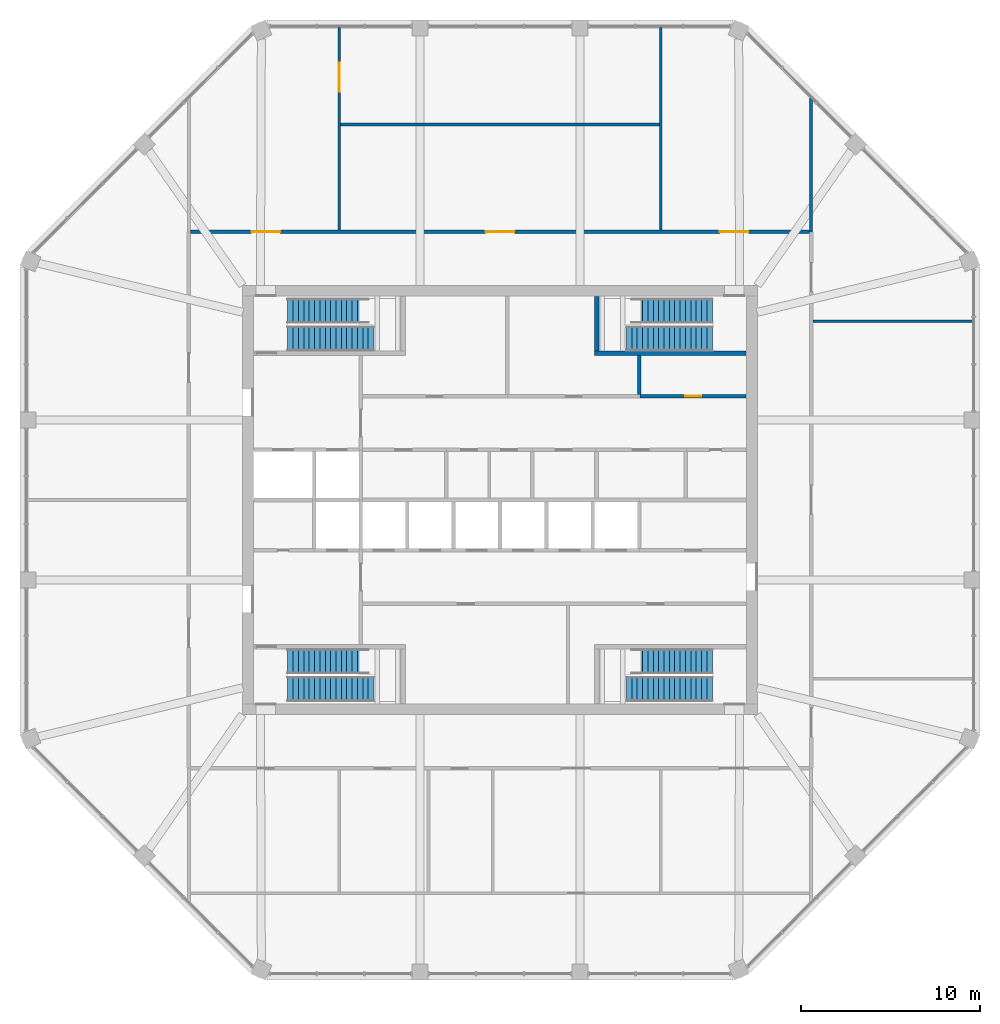
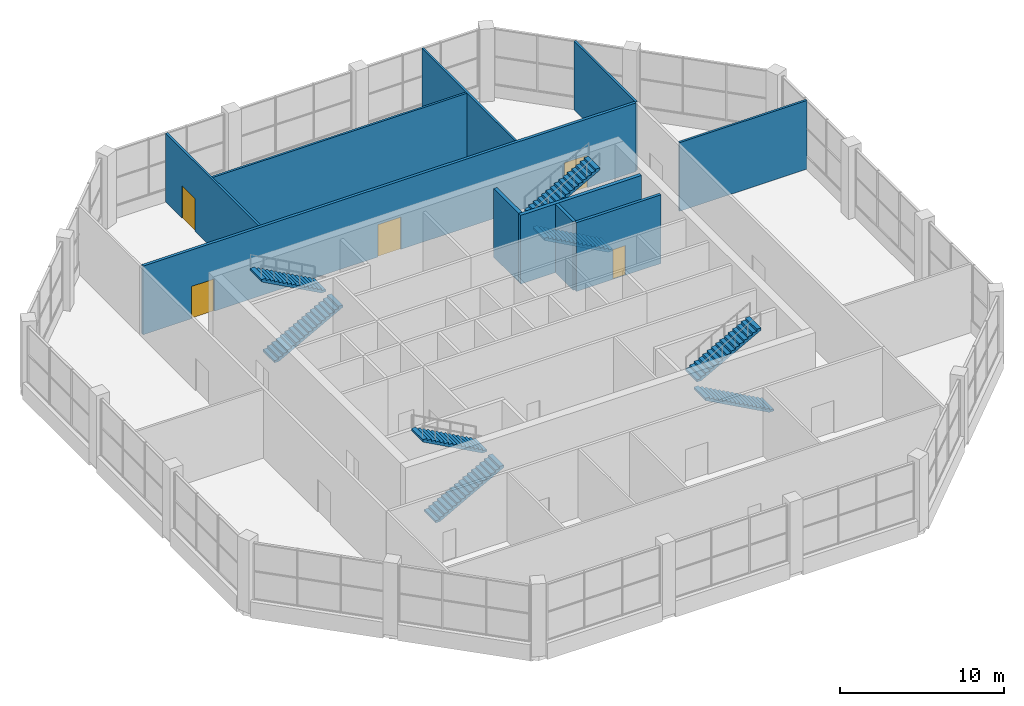
# One storey, part 14 of 15: 10 walls, 8 stair flights, 5 doors, 5 openings, 4 elements without a shape of their own.
"""IFC4 building model written with IfcOpenShell, lengths in metres."""

from ifc_helpers import new_model, si_unit, direction, frame, frame_2d, origin, place, context, subcontext, project, spatial, polyline, rectangle, outline, extrude, material, layer, layer_set, type_object, element, fill, aggregate, save


model = new_model("IFC4")

# Units and contexts
model_context = context("Model", 3, precision=1e-05, world=origin(), true_north=direction((0.0, 1.0)))
body_context = subcontext(model_context, "Body", "Model", "MODEL_VIEW")
ifc_project = project(units=[si_unit("LENGTHUNIT", "METRE"), si_unit("AREAUNIT", "SQUARE_METRE"), si_unit("VOLUMEUNIT", "CUBIC_METRE"), si_unit("PLANEANGLEUNIT", "RADIAN"), si_unit("MASSUNIT", "GRAM", prefix="KILO")], contexts=[model_context])

# Site, building, storey
site_placement = place(None, origin())
site = spatial("IfcSite", under=ifc_project, at=site_placement, CompositionType="ELEMENT")
building_placement = place(site_placement, origin())
building = spatial("IfcBuilding", under=site, at=building_placement, Name="Msitu Wima Residences", CompositionType="ELEMENT")
storey_placement = place(building_placement, frame((0.0, 0.0, 314.699951171875)))
storey = spatial("IfcBuildingStorey", under=building, at=storey_placement, Name="L73", CompositionType="ELEMENT", Elevation=314.699951171875)

# Wall, openings, doors
ifc_material_1 = material(Name="Plaster")
ifc_layer_1 = layer(ifc_material_1, 0.011962890625, Name="Plaster")
ifc_material_2 = material(Name="Concrete blockwork", Category="masonry")
ifc_layer_2 = layer(ifc_material_2, 0.176025390625, Name="Concrete blockwork")
ifc_layer_3 = layer(ifc_material_1, 0.011962890625, Name="Plaster")
ifc_layer_set_1 = layer_set([ifc_layer_1, ifc_layer_2, ifc_layer_3], Name="Concrete blockwork")
wall_type_1 = type_object("IfcWallType", Name="Corridor wall FW200", PredefinedType="PARTITIONING", material=ifc_layer_set_1)
wall_1_placement = place(storey_placement, frame((-17.300048828125, 15.0, 0.0), z_axis=(0.0, 0.0, 1.0), x_axis=(1.0, 0.0, 0.0)))
wall_1 = element("IfcWall", 1, at=wall_1_placement, inside=storey, type_object=wall_type_1, Name="Corridor wall", PredefinedType="PARTITIONING", context=body_context, shape_type="SweptSolid", body=[
    extrude(rectangle(XDim=34.625, YDim=0.199951171875, at=frame_2d((17.3125, 0.0))), origin(), (0.0, 0.0, 1.0), 5.10009765625),
])
opening_1_placement = place(wall_1_placement, frame((3.39990234375, 0.0, 0.0)))
opening_1 = element("IfcOpeningElement", 2, at=opening_1_placement, cuts=wall_1, Name="Opening D73.021", PredefinedType="OPENING", context=body_context, shape_type="SweptSolid", body=[
    extrude(rectangle(XDim=1.60009765625, YDim=2.39990234375, at=frame_2d((0.800048828125, 1.199951171875))), frame((0.0, 0.10986328125, 0.0), z_axis=(0.0, -1.0, 0.0), x_axis=(1.0, 0.0, 0.0)), (0.0, 0.0, 1.0), 0.219970703125),
])
opening_2_placement = place(wall_1_placement, frame((29.60009765625, 0.0, 0.0)))
opening_2 = element("IfcOpeningElement", 3, at=opening_2_placement, cuts=wall_1, Name="Opening D73.022", PredefinedType="OPENING", context=body_context, shape_type="SweptSolid", body=[
    extrude(rectangle(XDim=1.60009765625, YDim=2.39990234375, at=frame_2d((0.800048828125, 1.199951171875))), frame((0.0, 0.10986328125, 0.0), z_axis=(0.0, -1.0, 0.0), x_axis=(1.0, 0.0, 0.0)), (0.0, 0.0, 1.0), 0.219970703125),
])
opening_3_placement = place(wall_1_placement, frame((16.5, 0.0, 0.0)))
opening_3 = element("IfcOpeningElement", 4, at=opening_3_placement, cuts=wall_1, Name="Opening D73.023", PredefinedType="OPENING", context=body_context, shape_type="SweptSolid", body=[
    extrude(rectangle(XDim=1.60009765625, YDim=2.39990234375, at=frame_2d((0.800048828125, 1.199951171875))), frame((0.0, 0.10986328125, 0.0), z_axis=(0.0, -1.0, 0.0), x_axis=(1.0, 0.0, 0.0)), (0.0, 0.0, 1.0), 0.219970703125),
])
ifc_material_3 = material(Name="Black aluminium glazed door", Category="aluminium")
door_type_1 = type_object("IfcDoorType", Name="Amenity door D10 1600x2400", OperationType="DOUBLE_DOOR_SINGLE_SWING", PredefinedType="DOOR", material=ifc_material_3)
door_1_placement = place(opening_1_placement, origin())
door_1 = element("IfcDoor", 5, at=door_1_placement, inside=storey, type_object=door_type_1, Name="Amenity door", OperationType="DOUBLE_DOOR_SINGLE_SWING", OverallHeight=2.39990234375, OverallWidth=1.60009765625, PredefinedType="DOOR", context=body_context, shape_type="SweptSolid", body=[
    extrude(rectangle(XDim=1.60009765625, YDim=2.39990234375, at=frame_2d((0.800048828125, 1.199951171875))), frame((0.0, 0.02490234375, 0.0), z_axis=(0.0, -1.0, 0.0), x_axis=(1.0, 0.0, 0.0)), (0.0, 0.0, 1.0), 0.050048828125),
])
fill(opening_1, door_1)
door_2_placement = place(opening_2_placement, origin())
door_2 = element("IfcDoor", 6, at=door_2_placement, inside=storey, type_object=door_type_1, Name="Amenity door", OperationType="DOUBLE_DOOR_SINGLE_SWING", OverallHeight=2.39990234375, OverallWidth=1.60009765625, PredefinedType="DOOR", context=body_context, shape_type="SweptSolid", body=[
    extrude(rectangle(XDim=1.60009765625, YDim=2.39990234375, at=frame_2d((0.800048828125, 1.199951171875))), frame((0.0, 0.02490234375, 0.0), z_axis=(0.0, -1.0, 0.0), x_axis=(1.0, 0.0, 0.0)), (0.0, 0.0, 1.0), 0.050048828125),
])
fill(opening_2, door_2)
door_3_placement = place(opening_3_placement, origin())
door_3 = element("IfcDoor", 7, at=door_3_placement, inside=storey, type_object=door_type_1, Name="Amenity door", OperationType="DOUBLE_DOOR_SINGLE_SWING", OverallHeight=2.39990234375, OverallWidth=1.60009765625, PredefinedType="DOOR", context=body_context, shape_type="SweptSolid", body=[
    extrude(rectangle(XDim=1.60009765625, YDim=2.39990234375, at=frame_2d((0.800048828125, 1.199951171875))), frame((0.0, 0.02490234375, 0.0), z_axis=(0.0, -1.0, 0.0), x_axis=(1.0, 0.0, 0.0)), (0.0, 0.0, 1.0), 0.050048828125),
])
fill(opening_3, door_3)

# Wall, opening, door
wall_2_placement = place(storey_placement, frame((7.820068359375, 5.800048828125, 0.0), z_axis=(0.0, 0.0, 1.0), x_axis=(1.0, 0.0, 0.0)))
wall_2 = element("IfcWall", 8, at=wall_2_placement, inside=storey, type_object=wall_type_1, Name="Corridor wall", PredefinedType="PARTITIONING", context=body_context, shape_type="SweptSolid", body=[
    extrude(rectangle(XDim=5.949951171875, YDim=0.199951171875, at=frame_2d((2.97509765625, 0.0))), origin(), (0.0, 0.0, 1.0), 5.10009765625),
])
opening_4_placement = place(wall_2_placement, frame((2.550048828125, 0.0, 0.0)))
opening_4 = element("IfcOpeningElement", 9, at=opening_4_placement, cuts=wall_2, Name="Opening D73.006", PredefinedType="OPENING", context=body_context, shape_type="SweptSolid", body=[
    extrude(rectangle(XDim=0.89990234375, YDim=2.199951171875, at=frame_2d((0.449951171875, 1.10009765625))), frame((0.0, 0.10986328125, 0.0), z_axis=(0.0, -1.0, 0.0), x_axis=(1.0, 0.0, 0.0)), (0.0, 0.0, 1.0), 0.219970703125),
])
ifc_material_4 = material(Name="Timber flush door", Category="wood")
door_type_2 = type_object("IfcDoorType", Name="Service door D05 900x2200", OperationType="SINGLE_SWING_LEFT", PredefinedType="DOOR", material=ifc_material_4)
door_4_placement = place(opening_4_placement, origin())
door_4 = element("IfcDoor", 10, at=door_4_placement, inside=storey, type_object=door_type_2, Name="Service door", OperationType="SINGLE_SWING_LEFT", OverallHeight=2.199951171875, OverallWidth=0.89990234375, PredefinedType="DOOR", context=body_context, shape_type="SweptSolid", body=[
    extrude(rectangle(XDim=0.89990234375, YDim=2.199951171875, at=frame_2d((0.449951171875, 1.10009765625))), frame((0.0, 0.02490234375, 0.0), z_axis=(0.0, -1.0, 0.0), x_axis=(1.0, 0.0, 0.0)), (0.0, 0.0, 1.0), 0.050048828125),
])
fill(opening_4, door_4)

ifc_layer_4 = layer(ifc_material_1, 0.011962890625, Name="Plaster")
ifc_layer_5 = layer(ifc_material_2, 0.1259765625, Name="Concrete blockwork")
ifc_layer_6 = layer(ifc_material_1, 0.011962890625, Name="Plaster")
ifc_layer_set_2 = layer_set([ifc_layer_4, ifc_layer_5, ifc_layer_6], Name="Concrete blockwork")
wall_type_2 = type_object("IfcWallType", Name="Partition PW150", PredefinedType="PARTITIONING", material=ifc_layer_set_2)
wall_3_placement = place(storey_placement, frame((-9.0, 15.10009765625, 0.0), z_axis=(0.0, 0.0, 1.0), x_axis=(0.0, 1.0, 0.0)))
wall_3 = element("IfcWall", 11, at=wall_3_placement, inside=storey, type_object=wall_type_2, Name="Partition", PredefinedType="PARTITIONING", context=body_context, shape_type="SweptSolid", body=[
    extrude(rectangle(XDim=11.324951171875, YDim=0.14990234375, at=frame_2d((5.66259765625, 0.0))), origin(), (0.0, 0.0, 1.0), 5.10009765625),
])
opening_5_placement = place(wall_3_placement, frame((7.75, 0.0, 0.0)))
opening_5 = element("IfcOpeningElement", 12, at=opening_5_placement, cuts=wall_3, Name="Opening D73.024", PredefinedType="OPENING", context=body_context, shape_type="SweptSolid", body=[
    extrude(rectangle(XDim=1.60009765625, YDim=2.39990234375, at=frame_2d((0.800048828125, 1.199951171875))), frame((0.0, 0.0849609375, 0.0), z_axis=(0.0, -1.0, 0.0), x_axis=(1.0, 0.0, 0.0)), (0.0, 0.0, 1.0), 0.169921875),
])
door_5_placement = place(opening_5_placement, origin())
door_5 = element("IfcDoor", 13, at=door_5_placement, inside=storey, type_object=door_type_1, Name="Amenity door", OperationType="DOUBLE_DOOR_SINGLE_SWING", OverallHeight=2.39990234375, OverallWidth=1.60009765625, PredefinedType="DOOR", context=body_context, shape_type="SweptSolid", body=[
    extrude(rectangle(XDim=1.60009765625, YDim=2.39990234375, at=frame_2d((0.800048828125, 1.199951171875))), frame((0.0, 0.02490234375, 0.0), z_axis=(0.0, -1.0, 0.0), x_axis=(1.0, 0.0, 0.0)), (0.0, 0.0, 1.0), 0.050048828125),
])
fill(opening_5, door_5)

# Walls
wall_4_placement = place(storey_placement, frame((-8.925048828125, 21.0, 0.0), z_axis=(0.0, 0.0, 1.0), x_axis=(1.0, 0.0, 0.0)))
element("IfcWall", 14, at=wall_4_placement, inside=storey, type_object=wall_type_2, Name="Partition", PredefinedType="PARTITIONING", context=body_context, shape_type="SweptSolid", body=[
    extrude(rectangle(XDim=17.85009765625, YDim=0.14990234375, at=frame_2d((8.925048828125, 0.0))), origin(), (0.0, 0.0, 1.0), 5.10009765625),
])
wall_5_placement = place(storey_placement, frame((9.0, 15.10009765625, 0.0), z_axis=(0.0, 0.0, 1.0), x_axis=(0.0, 1.0, 0.0)))
element("IfcWall", 15, at=wall_5_placement, inside=storey, type_object=wall_type_2, Name="Partition", PredefinedType="PARTITIONING", context=body_context, shape_type="SweptSolid", body=[
    extrude(rectangle(XDim=11.324951171875, YDim=0.14990234375, at=frame_2d((5.66259765625, 0.0))), origin(), (0.0, 0.0, 1.0), 5.10009765625),
])
wall_6_placement = place(storey_placement, frame((17.5, 10.0, 0.0), z_axis=(0.0, 0.0, 1.0), x_axis=(1.0, 0.0, 0.0)))
element("IfcWall", 16, at=wall_6_placement, inside=storey, type_object=wall_type_2, Name="Partition", PredefinedType="PARTITIONING", context=body_context, shape_type="SweptSolid", body=[
    extrude(rectangle(XDim=8.955078125, YDim=0.14990234375, at=frame_2d((4.4775390625, 0.0))), origin(), (0.0, 0.0, 1.0), 5.10009765625),
])
wall_7_placement = place(storey_placement, frame((17.39990234375, 15.0, 0.0), z_axis=(0.0, 0.0, 1.0), x_axis=(0.0, 1.0, 0.0)))
element("IfcWall", 17, at=wall_7_placement, inside=storey, type_object=wall_type_2, Name="Partition", PredefinedType="PARTITIONING", context=body_context, shape_type="SweptSolid", body=[
    extrude(rectangle(XDim=7.483642578125, YDim=0.14990234375, at=frame_2d((3.74169921875, 0.0))), origin(), (0.0, 0.0, 1.0), 5.10009765625),
])
ifc_layer_7 = layer(ifc_material_1, 0.011962890625, Name="Plaster")
ifc_material_5 = material(Name="Reinforced concrete blockwork", Category="masonry")
ifc_layer_8 = layer(ifc_material_5, 0.176025390625, Name="Reinforced concrete blockwork")
ifc_layer_9 = layer(ifc_material_1, 0.011962890625, Name="Plaster")
ifc_layer_set_3 = layer_set([ifc_layer_7, ifc_layer_8, ifc_layer_9], Name="Reinforced concrete blockwork")
wall_type_3 = type_object("IfcWallType", Name="Plant and riser wall PL200", PredefinedType="PARTITIONING", material=ifc_layer_set_3)
wall_8_placement = place(storey_placement, frame((7.800048828125, 5.89990234375, 0.0), z_axis=(0.0, 0.0, 1.0), x_axis=(0.0, 1.0, 0.0)))
element("IfcWall", 18, at=wall_8_placement, inside=storey, type_object=wall_type_3, Name="Plant and riser wall", PredefinedType="PARTITIONING", context=body_context, shape_type="SweptSolid", body=[
    extrude(rectangle(XDim=2.175048828125, YDim=0.199951171875, at=frame_2d((1.08740234375, 0.0))), origin(), (0.0, 0.0, 1.0), 5.10009765625),
])
ifc_material_6 = material(Name="Concrete C50/60", Category="concrete")
ifc_layer_10 = layer(ifc_material_6, 0.25)
ifc_layer_set_4 = layer_set([ifc_layer_10], Name="Concrete C50/60")
wall_type_4 = type_object("IfcWallType", Name="Stair enclosure wall SW250", PredefinedType="SHEAR", material=ifc_layer_set_4)
wall_9_placement = place(storey_placement, frame((5.39990234375, 8.324951171875, 0.0), z_axis=(0.0, 0.0, 1.0), x_axis=(0.0, 1.0, 0.0)))
element("IfcWall", 19, at=wall_9_placement, inside=storey, type_object=wall_type_4, Name="Stair enclosure wall", PredefinedType="SHEAR", context=body_context, shape_type="SweptSolid", body=[
    extrude(rectangle(XDim=3.045166015625, YDim=0.25, at=frame_2d((1.5224609375, 0.0))), origin(), (0.0, 0.0, 1.0), 5.10009765625),
])
wall_10_placement = place(storey_placement, frame((5.27490234375, 8.199951171875, 0.0), z_axis=(0.0, 0.0, 1.0), x_axis=(1.0, 0.0, 0.0)))
element("IfcWall", 20, at=wall_10_placement, inside=storey, type_object=wall_type_4, Name="Stair enclosure wall", PredefinedType="SHEAR", context=body_context, shape_type="SweptSolid", body=[
    extrude(rectangle(XDim=8.4951171875, YDim=0.25, at=frame_2d((4.24755859375, 0.0))), origin(), (0.0, 0.0, 1.0), 5.10009765625),
])

# Stair, stair flights
ifc_material_7 = material(Name="Concrete C40/50", Category="concrete")
stair_type = type_object("IfcStairType", Name="Exit stair ES1636-140", PredefinedType="HALF_TURN_STAIR", material=ifc_material_7)
stair_1_placement = place(storey_placement, origin())
stair_1 = element("IfcStair", 21, at=stair_1_placement, inside=storey, type_object=stair_type, Name="Exit stair 1", PredefinedType="HALF_TURN_STAIR")
stair_flight_type = type_object("IfcStairFlightType", Name="Exit stair flight ES1636-140", PredefinedType="STRAIGHT", material=ifc_material_7)
stair_flight_1_placement = place(storey_placement, frame((-11.875, 9.02490234375, 0.0), z_axis=(0.0, 0.0, 1.0), x_axis=(1.0, 0.0, 0.0)))
stair_flight_1 = element("IfcStairFlight", 22, at=stair_flight_1_placement, type_object=stair_flight_type, Name="S1 flight 1", NumberOfRisers=17, NumberOfTreads=16, PredefinedType="STRAIGHT", RiserHeight=0.163636364, TreadLength=0.3, context=body_context, shape_type="SweptSolid", body=[
    extrude(outline(polyline([(0.0, 0.0), (0.0, 0.16357421875), (0.300048828125, 0.16357421875), (0.300048828125, 0.327392578125), (0.60009765625, 0.327392578125), (0.60009765625, 0.490966796875), (0.89990234375, 0.490966796875), (0.89990234375, 0.654541015625), (1.199951171875, 0.654541015625), (1.199951171875, 0.818115234375), (1.5, 0.818115234375), (1.5, 0.98193359375), (1.800048828125, 0.98193359375), (1.800048828125, 1.1455078125), (2.10009765625, 1.1455078125), (2.10009765625, 1.30908203125), (2.39990234375, 1.30908203125), (2.39990234375, 1.47265625), (2.699951171875, 1.47265625), (2.699951171875, 1.636474609375), (3.0, 1.636474609375), (3.0, 1.800048828125), (3.300048828125, 1.800048828125), (3.300048828125, 1.963623046875), (3.60009765625, 1.963623046875), (3.60009765625, 2.127197265625), (3.89990234375, 2.127197265625), (3.89990234375, 2.291015625), (4.199951171875, 2.291015625), (4.199951171875, 2.45458984375), (4.5, 2.45458984375), (4.5, 2.6181640625), (4.800048828125, 2.6181640625), (4.800048828125, 2.78173828125), (4.800048828125, 2.447509765625), (0.31298828125, 0.0), (0.0, 0.0)])), frame((0.0, 0.699951171875, 0.0), z_axis=(0.0, -1.0, 0.0), x_axis=(1.0, 0.0, 0.0)), (0.0, 0.0, 1.0), 1.39990234375),
])
stair_flight_2_placement = place(storey_placement, frame((-7.375, 10.574951171875, 2.781982421875), z_axis=(0.0, 0.0, 1.0), x_axis=(-1.0, 0.0, 0.0)))
stair_flight_2 = element("IfcStairFlight", 23, at=stair_flight_2_placement, type_object=stair_flight_type, Name="S1 flight 2", NumberOfRisers=16, NumberOfTreads=15, PredefinedType="STRAIGHT", RiserHeight=0.163636364, TreadLength=0.3, context=body_context, shape_type="SweptSolid", body=[
    extrude(outline(polyline([(0.0, 0.0), (0.0, 0.16357421875), (0.300048828125, 0.16357421875), (0.300048828125, 0.327392578125), (0.60009765625, 0.327392578125), (0.60009765625, 0.490966796875), (0.89990234375, 0.490966796875), (0.89990234375, 0.654541015625), (1.199951171875, 0.654541015625), (1.199951171875, 0.818115234375), (1.5, 0.818115234375), (1.5, 0.98193359375), (1.800048828125, 0.98193359375), (1.800048828125, 1.1455078125), (2.10009765625, 1.1455078125), (2.10009765625, 1.30908203125), (2.39990234375, 1.30908203125), (2.39990234375, 1.47265625), (2.699951171875, 1.47265625), (2.699951171875, 1.636474609375), (3.0, 1.636474609375), (3.0, 1.800048828125), (3.300048828125, 1.800048828125), (3.300048828125, 1.963623046875), (3.60009765625, 1.963623046875), (3.60009765625, 2.127197265625), (3.89990234375, 2.127197265625), (3.89990234375, 2.291015625), (4.199951171875, 2.291015625), (4.199951171875, 2.45458984375), (4.5, 2.45458984375), (4.5, 2.6181640625), (4.5, 2.28369140625), (0.31298828125, 0.0), (0.0, 0.0)])), frame((0.0, 0.699951171875, 0.0), z_axis=(0.0, -1.0, 0.0), x_axis=(1.0, 0.0, 0.0)), (0.0, 0.0, 1.0), 1.39990234375),
])
aggregate(stair_1, [stair_flight_1, stair_flight_2])

stair_2_placement = place(storey_placement, origin())
stair_2 = element("IfcStair", 24, at=stair_2_placement, inside=storey, type_object=stair_type, Name="Exit stair 2", PredefinedType="HALF_TURN_STAIR")
stair_flight_3_placement = place(storey_placement, frame((-11.875, -10.574951171875, 0.0), z_axis=(0.0, 0.0, 1.0), x_axis=(1.0, 0.0, 0.0)))
stair_flight_3 = element("IfcStairFlight", 25, at=stair_flight_3_placement, type_object=stair_flight_type, Name="S2 flight 1", NumberOfRisers=17, NumberOfTreads=16, PredefinedType="STRAIGHT", RiserHeight=0.163636364, TreadLength=0.3, context=body_context, shape_type="SweptSolid", body=[
    extrude(outline(polyline([(0.0, 0.0), (0.0, 0.16357421875), (0.300048828125, 0.16357421875), (0.300048828125, 0.327392578125), (0.60009765625, 0.327392578125), (0.60009765625, 0.490966796875), (0.89990234375, 0.490966796875), (0.89990234375, 0.654541015625), (1.199951171875, 0.654541015625), (1.199951171875, 0.818115234375), (1.5, 0.818115234375), (1.5, 0.98193359375), (1.800048828125, 0.98193359375), (1.800048828125, 1.1455078125), (2.10009765625, 1.1455078125), (2.10009765625, 1.30908203125), (2.39990234375, 1.30908203125), (2.39990234375, 1.47265625), (2.699951171875, 1.47265625), (2.699951171875, 1.636474609375), (3.0, 1.636474609375), (3.0, 1.800048828125), (3.300048828125, 1.800048828125), (3.300048828125, 1.963623046875), (3.60009765625, 1.963623046875), (3.60009765625, 2.127197265625), (3.89990234375, 2.127197265625), (3.89990234375, 2.291015625), (4.199951171875, 2.291015625), (4.199951171875, 2.45458984375), (4.5, 2.45458984375), (4.5, 2.6181640625), (4.800048828125, 2.6181640625), (4.800048828125, 2.78173828125), (4.800048828125, 2.447509765625), (0.31298828125, 0.0), (0.0, 0.0)])), frame((0.0, 0.699951171875, 0.0), z_axis=(0.0, -1.0, 0.0), x_axis=(1.0, 0.0, 0.0)), (0.0, 0.0, 1.0), 1.39990234375),
])
stair_flight_4_placement = place(storey_placement, frame((-7.375, -9.02490234375, 2.781982421875), z_axis=(0.0, 0.0, 1.0), x_axis=(-1.0, 0.0, 0.0)))
stair_flight_4 = element("IfcStairFlight", 26, at=stair_flight_4_placement, type_object=stair_flight_type, Name="S2 flight 2", NumberOfRisers=16, NumberOfTreads=15, PredefinedType="STRAIGHT", RiserHeight=0.163636364, TreadLength=0.3, context=body_context, shape_type="SweptSolid", body=[
    extrude(outline(polyline([(0.0, 0.0), (0.0, 0.16357421875), (0.300048828125, 0.16357421875), (0.300048828125, 0.327392578125), (0.60009765625, 0.327392578125), (0.60009765625, 0.490966796875), (0.89990234375, 0.490966796875), (0.89990234375, 0.654541015625), (1.199951171875, 0.654541015625), (1.199951171875, 0.818115234375), (1.5, 0.818115234375), (1.5, 0.98193359375), (1.800048828125, 0.98193359375), (1.800048828125, 1.1455078125), (2.10009765625, 1.1455078125), (2.10009765625, 1.30908203125), (2.39990234375, 1.30908203125), (2.39990234375, 1.47265625), (2.699951171875, 1.47265625), (2.699951171875, 1.636474609375), (3.0, 1.636474609375), (3.0, 1.800048828125), (3.300048828125, 1.800048828125), (3.300048828125, 1.963623046875), (3.60009765625, 1.963623046875), (3.60009765625, 2.127197265625), (3.89990234375, 2.127197265625), (3.89990234375, 2.291015625), (4.199951171875, 2.291015625), (4.199951171875, 2.45458984375), (4.5, 2.45458984375), (4.5, 2.6181640625), (4.5, 2.28369140625), (0.31298828125, 0.0), (0.0, 0.0)])), frame((0.0, 0.699951171875, 0.0), z_axis=(0.0, -1.0, 0.0), x_axis=(1.0, 0.0, 0.0)), (0.0, 0.0, 1.0), 1.39990234375),
])
aggregate(stair_2, [stair_flight_3, stair_flight_4])

stair_3_placement = place(storey_placement, origin())
stair_3 = element("IfcStair", 27, at=stair_3_placement, inside=storey, type_object=stair_type, Name="Exit stair 3", PredefinedType="HALF_TURN_STAIR")
stair_flight_5_placement = place(storey_placement, frame((11.875, 9.02490234375, 0.0), z_axis=(0.0, 0.0, 1.0), x_axis=(-1.0, 0.0, 0.0)))
stair_flight_5 = element("IfcStairFlight", 28, at=stair_flight_5_placement, type_object=stair_flight_type, Name="S3 flight 1", NumberOfRisers=17, NumberOfTreads=16, PredefinedType="STRAIGHT", RiserHeight=0.163636364, TreadLength=0.3, context=body_context, shape_type="SweptSolid", body=[
    extrude(outline(polyline([(0.0, 0.0), (0.0, 0.16357421875), (0.300048828125, 0.16357421875), (0.300048828125, 0.327392578125), (0.60009765625, 0.327392578125), (0.60009765625, 0.490966796875), (0.89990234375, 0.490966796875), (0.89990234375, 0.654541015625), (1.199951171875, 0.654541015625), (1.199951171875, 0.818115234375), (1.5, 0.818115234375), (1.5, 0.98193359375), (1.800048828125, 0.98193359375), (1.800048828125, 1.1455078125), (2.10009765625, 1.1455078125), (2.10009765625, 1.30908203125), (2.39990234375, 1.30908203125), (2.39990234375, 1.47265625), (2.699951171875, 1.47265625), (2.699951171875, 1.636474609375), (3.0, 1.636474609375), (3.0, 1.800048828125), (3.300048828125, 1.800048828125), (3.300048828125, 1.963623046875), (3.60009765625, 1.963623046875), (3.60009765625, 2.127197265625), (3.89990234375, 2.127197265625), (3.89990234375, 2.291015625), (4.199951171875, 2.291015625), (4.199951171875, 2.45458984375), (4.5, 2.45458984375), (4.5, 2.6181640625), (4.800048828125, 2.6181640625), (4.800048828125, 2.78173828125), (4.800048828125, 2.447509765625), (0.31298828125, 0.0), (0.0, 0.0)])), frame((0.0, 0.699951171875, 0.0), z_axis=(0.0, -1.0, 0.0), x_axis=(1.0, 0.0, 0.0)), (0.0, 0.0, 1.0), 1.39990234375),
])
stair_flight_6_placement = place(storey_placement, frame((7.375, 10.574951171875, 2.781982421875), z_axis=(0.0, 0.0, 1.0), x_axis=(1.0, 0.0, 0.0)))
stair_flight_6 = element("IfcStairFlight", 29, at=stair_flight_6_placement, type_object=stair_flight_type, Name="S3 flight 2", NumberOfRisers=16, NumberOfTreads=15, PredefinedType="STRAIGHT", RiserHeight=0.163636364, TreadLength=0.3, context=body_context, shape_type="SweptSolid", body=[
    extrude(outline(polyline([(0.0, 0.0), (0.0, 0.16357421875), (0.300048828125, 0.16357421875), (0.300048828125, 0.327392578125), (0.60009765625, 0.327392578125), (0.60009765625, 0.490966796875), (0.89990234375, 0.490966796875), (0.89990234375, 0.654541015625), (1.199951171875, 0.654541015625), (1.199951171875, 0.818115234375), (1.5, 0.818115234375), (1.5, 0.98193359375), (1.800048828125, 0.98193359375), (1.800048828125, 1.1455078125), (2.10009765625, 1.1455078125), (2.10009765625, 1.30908203125), (2.39990234375, 1.30908203125), (2.39990234375, 1.47265625), (2.699951171875, 1.47265625), (2.699951171875, 1.636474609375), (3.0, 1.636474609375), (3.0, 1.800048828125), (3.300048828125, 1.800048828125), (3.300048828125, 1.963623046875), (3.60009765625, 1.963623046875), (3.60009765625, 2.127197265625), (3.89990234375, 2.127197265625), (3.89990234375, 2.291015625), (4.199951171875, 2.291015625), (4.199951171875, 2.45458984375), (4.5, 2.45458984375), (4.5, 2.6181640625), (4.5, 2.28369140625), (0.31298828125, 0.0), (0.0, 0.0)])), frame((0.0, 0.699951171875, 0.0), z_axis=(0.0, -1.0, 0.0), x_axis=(1.0, 0.0, 0.0)), (0.0, 0.0, 1.0), 1.39990234375),
])
aggregate(stair_3, [stair_flight_5, stair_flight_6])

stair_4_placement = place(storey_placement, origin())
stair_4 = element("IfcStair", 30, at=stair_4_placement, inside=storey, type_object=stair_type, Name="Exit stair 4", PredefinedType="HALF_TURN_STAIR")
stair_flight_7_placement = place(storey_placement, frame((11.875, -10.574951171875, 0.0), z_axis=(0.0, 0.0, 1.0), x_axis=(-1.0, 0.0, 0.0)))
stair_flight_7 = element("IfcStairFlight", 31, at=stair_flight_7_placement, type_object=stair_flight_type, Name="S4 flight 1", NumberOfRisers=17, NumberOfTreads=16, PredefinedType="STRAIGHT", RiserHeight=0.163636364, TreadLength=0.3, context=body_context, shape_type="SweptSolid", body=[
    extrude(outline(polyline([(0.0, 0.0), (0.0, 0.16357421875), (0.300048828125, 0.16357421875), (0.300048828125, 0.327392578125), (0.60009765625, 0.327392578125), (0.60009765625, 0.490966796875), (0.89990234375, 0.490966796875), (0.89990234375, 0.654541015625), (1.199951171875, 0.654541015625), (1.199951171875, 0.818115234375), (1.5, 0.818115234375), (1.5, 0.98193359375), (1.800048828125, 0.98193359375), (1.800048828125, 1.1455078125), (2.10009765625, 1.1455078125), (2.10009765625, 1.30908203125), (2.39990234375, 1.30908203125), (2.39990234375, 1.47265625), (2.699951171875, 1.47265625), (2.699951171875, 1.636474609375), (3.0, 1.636474609375), (3.0, 1.800048828125), (3.300048828125, 1.800048828125), (3.300048828125, 1.963623046875), (3.60009765625, 1.963623046875), (3.60009765625, 2.127197265625), (3.89990234375, 2.127197265625), (3.89990234375, 2.291015625), (4.199951171875, 2.291015625), (4.199951171875, 2.45458984375), (4.5, 2.45458984375), (4.5, 2.6181640625), (4.800048828125, 2.6181640625), (4.800048828125, 2.78173828125), (4.800048828125, 2.447509765625), (0.31298828125, 0.0), (0.0, 0.0)])), frame((0.0, 0.699951171875, 0.0), z_axis=(0.0, -1.0, 0.0), x_axis=(1.0, 0.0, 0.0)), (0.0, 0.0, 1.0), 1.39990234375),
])
stair_flight_8_placement = place(storey_placement, frame((7.375, -9.02490234375, 2.781982421875), z_axis=(0.0, 0.0, 1.0), x_axis=(1.0, 0.0, 0.0)))
stair_flight_8 = element("IfcStairFlight", 32, at=stair_flight_8_placement, type_object=stair_flight_type, Name="S4 flight 2", NumberOfRisers=16, NumberOfTreads=15, PredefinedType="STRAIGHT", RiserHeight=0.163636364, TreadLength=0.3, context=body_context, shape_type="SweptSolid", body=[
    extrude(outline(polyline([(0.0, 0.0), (0.0, 0.16357421875), (0.300048828125, 0.16357421875), (0.300048828125, 0.327392578125), (0.60009765625, 0.327392578125), (0.60009765625, 0.490966796875), (0.89990234375, 0.490966796875), (0.89990234375, 0.654541015625), (1.199951171875, 0.654541015625), (1.199951171875, 0.818115234375), (1.5, 0.818115234375), (1.5, 0.98193359375), (1.800048828125, 0.98193359375), (1.800048828125, 1.1455078125), (2.10009765625, 1.1455078125), (2.10009765625, 1.30908203125), (2.39990234375, 1.30908203125), (2.39990234375, 1.47265625), (2.699951171875, 1.47265625), (2.699951171875, 1.636474609375), (3.0, 1.636474609375), (3.0, 1.800048828125), (3.300048828125, 1.800048828125), (3.300048828125, 1.963623046875), (3.60009765625, 1.963623046875), (3.60009765625, 2.127197265625), (3.89990234375, 2.127197265625), (3.89990234375, 2.291015625), (4.199951171875, 2.291015625), (4.199951171875, 2.45458984375), (4.5, 2.45458984375), (4.5, 2.6181640625), (4.5, 2.28369140625), (0.31298828125, 0.0), (0.0, 0.0)])), frame((0.0, 0.699951171875, 0.0), z_axis=(0.0, -1.0, 0.0), x_axis=(1.0, 0.0, 0.0)), (0.0, 0.0, 1.0), 1.39990234375),
])
aggregate(stair_4, [stair_flight_7, stair_flight_8])

save(model, "model.ifc")
